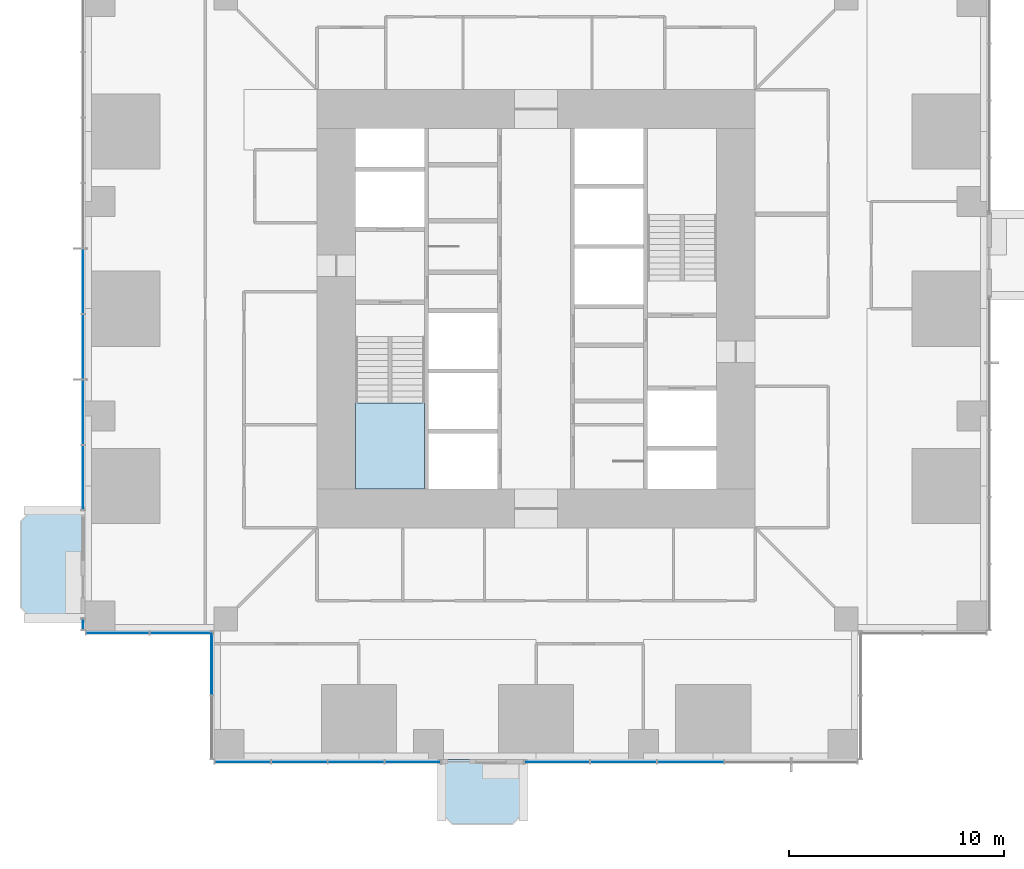
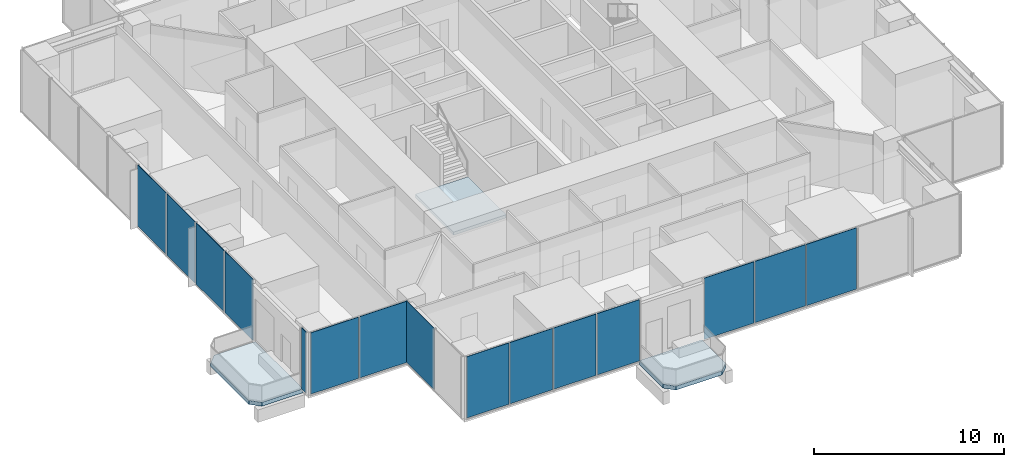
# One storey, part 8 of 18: 15 plates, 3 slabs, 7 elements without a shape of their own.
"""IFC4 building model written with IfcOpenShell, lengths in metres."""

from ifc_helpers import new_model, si_unit, direction, frame, origin, origin_2d, place, context, subcontext, project, spatial, polyline, rectangle, outline, extrude, material, layer, layer_set, type_object, element, aggregate, save


model = new_model("IFC4")

# Units and contexts
model_context = context("Model", 3, precision=1e-05, world=origin(), true_north=direction((0.0, 1.0)))
body_context = subcontext(model_context, "Body", "Model", "MODEL_VIEW")
ifc_project = project(units=[si_unit("LENGTHUNIT", "METRE"), si_unit("AREAUNIT", "SQUARE_METRE"), si_unit("VOLUMEUNIT", "CUBIC_METRE"), si_unit("PLANEANGLEUNIT", "RADIAN"), si_unit("MASSUNIT", "GRAM", prefix="KILO")], contexts=[model_context])

# Site, building, storey
site_placement = place(None, origin())
site = spatial("IfcSite", under=ifc_project, at=site_placement, CompositionType="ELEMENT")
building_placement = place(site_placement, origin())
building = spatial("IfcBuilding", under=site, at=building_placement, Name="Svetlomir Tower", CompositionType="ELEMENT")
storey_placement = place(building_placement, frame((0.0, 0.0, 46.5)))
storey = spatial("IfcBuildingStorey", under=building, at=storey_placement, Name="L10", CompositionType="ELEMENT", Elevation=46.5)

# Slabs
ifc_material_1 = material(Name="Concrete C60/75", Category="concrete")
ifc_layer_1 = layer(ifc_material_1, 0.25)
ifc_layer_set_1 = layer_set([ifc_layer_1], Name="Concrete C60/75")
slab_type_1 = type_object("IfcSlabType", Name="BALCONY SLAB 250", PredefinedType="FLOOR", material=ifc_layer_set_1)
slab_1_placement = place(storey_placement, frame((0.0, 0.0, -0.25)))
element("IfcSlab", 1, at=slab_1_placement, inside=storey, type_object=slab_type_1, Name="L10 S planted balcony", PredefinedType="FLOOR", context=body_context, shape_type="SweptSolid", body=[
    extrude(outline(polyline([(16.60009765625, -2.5), (17.10009765625, -3.0), (19.89990234375, -3.0), (20.39990234375, -2.5), (20.39990234375, 0.0), (16.60009765625, 0.0), (16.60009765625, -2.5)])), origin(), (0.0, 0.0, 1.0), 0.25),
])
slab_2_placement = place(storey_placement, frame((0.0, 0.0, -0.25)))
element("IfcSlab", 2, at=slab_2_placement, inside=storey, type_object=slab_type_1, Name="L10 W planted balcony", PredefinedType="FLOOR", context=body_context, shape_type="SweptSolid", body=[
    extrude(outline(polyline([(-2.5, 6.60009765625), (0.0, 6.60009765625), (0.0, 11.60009765625), (-2.5, 11.60009765625), (-3.0, 11.10009765625), (-3.0, 7.10009765625), (-2.5, 6.60009765625)])), origin(), (0.0, 0.0, 1.0), 0.25),
])

# Curtain wall, plates
ifc_material_2 = material(Name="Bronze anodised aluminium curtain wall", Category="aluminium")
curtain_wall_type = type_object("IfcCurtainWallType", Name="CURTAIN WALL CW1 TOWER OFFICE", PredefinedType="NOTDEFINED", material=ifc_material_2)
curtain_wall_1_placement = place(storey_placement, origin())
curtain_wall_1 = element("IfcCurtainWall", 3, at=curtain_wall_1_placement, inside=storey, type_object=curtain_wall_type, Name="Curtain wall CW1 L10", PredefinedType="NOTDEFINED")
ifc_material_3 = material(Name="Tinted double glazed unit", Category="glass")
ifc_layer_2 = layer(ifc_material_3, 0.031982421875)
ifc_layer_set_2 = layer_set([ifc_layer_2], Name="Tinted double glazed unit")
plate_type = type_object("IfcPlateType", Name="CW1 GLAZED PANEL 32", PredefinedType="CURTAIN_PANEL", material=ifc_layer_set_2)
plate_1_placement = place(storey_placement, frame((7.34130859375, -0.10009765625, 0.06494140625), z_axis=(0.0, 0.0, 1.0), x_axis=(1.0, 0.0, 0.0)))
plate_1 = element("IfcPlate", 4, at=plate_1_placement, type_object=plate_type, Name="CW1 panel 1.1", PredefinedType="CURTAIN_PANEL", context=body_context, shape_type="SweptSolid", body=[
    extrude(rectangle(XDim=2.552490234375, YDim=0.031982421875, at=origin_2d()), origin(), (0.0, 0.0, 1.0), 3.93505859375),
])
plate_2_placement = place(storey_placement, frame((9.97509765625, -0.10009765625, 0.06494140625), z_axis=(0.0, 0.0, 1.0), x_axis=(1.0, 0.0, 0.0)))
plate_2 = element("IfcPlate", 5, at=plate_2_placement, type_object=plate_type, Name="CW1 panel 2.1", PredefinedType="CURTAIN_PANEL", context=body_context, shape_type="SweptSolid", body=[
    extrude(rectangle(XDim=2.5849609375, YDim=0.031982421875, at=origin_2d()), origin(), (0.0, 0.0, 1.0), 3.93505859375),
])
plate_3_placement = place(storey_placement, frame((12.625, -0.10009765625, 0.06494140625), z_axis=(0.0, 0.0, 1.0), x_axis=(1.0, 0.0, 0.0)))
plate_3 = element("IfcPlate", 6, at=plate_3_placement, type_object=plate_type, Name="CW1 panel 3.1", PredefinedType="CURTAIN_PANEL", context=body_context, shape_type="SweptSolid", body=[
    extrude(rectangle(XDim=2.5849609375, YDim=0.031982421875, at=origin_2d()), origin(), (0.0, 0.0, 1.0), 3.93505859375),
])
plate_4_placement = place(storey_placement, frame((15.2587890625, -0.10009765625, 0.06494140625), z_axis=(0.0, 0.0, 1.0), x_axis=(1.0, 0.0, 0.0)))
plate_4 = element("IfcPlate", 7, at=plate_4_placement, type_object=plate_type, Name="CW1 panel 4.1", PredefinedType="CURTAIN_PANEL", context=body_context, shape_type="SweptSolid", body=[
    extrude(rectangle(XDim=2.552490234375, YDim=0.031982421875, at=origin_2d()), origin(), (0.0, 0.0, 1.0), 3.93505859375),
])
aggregate(curtain_wall_1, [plate_1, plate_2, plate_3, plate_4])

curtain_wall_2_placement = place(storey_placement, origin())
curtain_wall_2 = element("IfcCurtainWall", 8, at=curtain_wall_2_placement, inside=storey, type_object=curtain_wall_type, Name="Curtain wall CW1 L10", PredefinedType="NOTDEFINED")
plate_5_placement = place(storey_placement, frame((21.976318359375, -0.10009765625, 0.06494140625), z_axis=(0.0, 0.0, 1.0), x_axis=(1.0, 0.0, 0.0)))
plate_5 = element("IfcPlate", 9, at=plate_5_placement, type_object=plate_type, Name="CW1 panel 1.1", PredefinedType="CURTAIN_PANEL", context=body_context, shape_type="SweptSolid", body=[
    extrude(rectangle(XDim=3.0224609375, YDim=0.031982421875, at=origin_2d()), origin(), (0.0, 0.0, 1.0), 3.93505859375),
])
plate_6_placement = place(storey_placement, frame((25.080078125, -0.10009765625, 0.06494140625), z_axis=(0.0, 0.0, 1.0), x_axis=(1.0, 0.0, 0.0)))
plate_6 = element("IfcPlate", 10, at=plate_6_placement, type_object=plate_type, Name="CW1 panel 2.1", PredefinedType="CURTAIN_PANEL", context=body_context, shape_type="SweptSolid", body=[
    extrude(rectangle(XDim=3.054931640625, YDim=0.031982421875, at=origin_2d()), origin(), (0.0, 0.0, 1.0), 3.93505859375),
])
plate_7_placement = place(storey_placement, frame((28.199951171875, -0.10009765625, 0.06494140625), z_axis=(0.0, 0.0, 1.0), x_axis=(1.0, 0.0, 0.0)))
plate_7 = element("IfcPlate", 11, at=plate_7_placement, type_object=plate_type, Name="CW1 panel 3.1", PredefinedType="CURTAIN_PANEL", context=body_context, shape_type="SweptSolid", body=[
    extrude(rectangle(XDim=3.054931640625, YDim=0.031982421875, at=origin_2d()), origin(), (0.0, 0.0, 1.0), 3.93505859375),
])
aggregate(curtain_wall_2, [plate_5, plate_6, plate_7])

curtain_wall_3_placement = place(storey_placement, origin())
curtain_wall_3 = element("IfcCurtainWall", 12, at=curtain_wall_3_placement, inside=storey, type_object=curtain_wall_type, Name="Curtain wall CW1 L10", PredefinedType="NOTDEFINED")
plate_8_placement = place(storey_placement, frame((-0.10009765625, 22.27490234375, 0.06494140625), z_axis=(0.0, 0.0, 1.0), x_axis=(0.0, -1.0, 0.0)))
plate_8 = element("IfcPlate", 13, at=plate_8_placement, type_object=plate_type, Name="CW1 panel 5.1", PredefinedType="CURTAIN_PANEL", context=body_context, shape_type="SweptSolid", body=[
    extrude(rectangle(XDim=2.985107421875, YDim=0.031982421875, at=origin_2d()), origin(), (0.0, 0.0, 1.0), 3.93505859375),
])
plate_9_placement = place(storey_placement, frame((-0.10009765625, 19.22509765625, 0.06494140625), z_axis=(0.0, 0.0, 1.0), x_axis=(0.0, -1.0, 0.0)))
plate_9 = element("IfcPlate", 14, at=plate_9_placement, type_object=plate_type, Name="CW1 panel 6.1", PredefinedType="CURTAIN_PANEL", context=body_context, shape_type="SweptSolid", body=[
    extrude(rectangle(XDim=2.985107421875, YDim=0.031982421875, at=origin_2d()), origin(), (0.0, 0.0, 1.0), 3.93505859375),
])
plate_10_placement = place(storey_placement, frame((-0.10009765625, 16.175048828125, 0.06494140625), z_axis=(0.0, 0.0, 1.0), x_axis=(0.0, -1.0, 0.0)))
plate_10 = element("IfcPlate", 15, at=plate_10_placement, type_object=plate_type, Name="CW1 panel 7.1", PredefinedType="CURTAIN_PANEL", context=body_context, shape_type="SweptSolid", body=[
    extrude(rectangle(XDim=2.985107421875, YDim=0.031982421875, at=origin_2d()), origin(), (0.0, 0.0, 1.0), 3.93505859375),
])
plate_11_placement = place(storey_placement, frame((-0.10009765625, 13.141357421875, 0.06494140625), z_axis=(0.0, 0.0, 1.0), x_axis=(0.0, -1.0, 0.0)))
plate_11 = element("IfcPlate", 16, at=plate_11_placement, type_object=plate_type, Name="CW1 panel 8.1", PredefinedType="CURTAIN_PANEL", context=body_context, shape_type="SweptSolid", body=[
    extrude(rectangle(XDim=2.952392578125, YDim=0.031982421875, at=origin_2d()), origin(), (0.0, 0.0, 1.0), 3.93505859375),
])
aggregate(curtain_wall_3, [plate_8, plate_9, plate_10, plate_11])

# Curtain wall, plate
curtain_wall_4_placement = place(storey_placement, origin())
curtain_wall_4 = element("IfcCurtainWall", 17, at=curtain_wall_4_placement, inside=storey, type_object=curtain_wall_type, Name="Curtain wall CW1 L10", PredefinedType="NOTDEFINED")
plate_12_placement = place(storey_placement, frame((-0.10009765625, 6.300048828125, 0.06494140625), z_axis=(0.0, 0.0, 1.0), x_axis=(0.0, -1.0, 0.0)))
plate_12 = element("IfcPlate", 18, at=plate_12_placement, type_object=plate_type, Name="CW1 panel 1.1", PredefinedType="CURTAIN_PANEL", context=body_context, shape_type="SweptSolid", body=[
    extrude(rectangle(XDim=0.469970703125, YDim=0.031982421875, at=origin_2d()), origin(), (0.0, 0.0, 1.0), 3.93505859375),
])
aggregate(curtain_wall_4, [plate_12])

# Curtain wall, plates
curtain_wall_5_placement = place(storey_placement, origin())
curtain_wall_5 = element("IfcCurtainWall", 19, at=curtain_wall_5_placement, inside=storey, type_object=curtain_wall_type, Name="Curtain wall CW1 L10", PredefinedType="NOTDEFINED")
plate_13_placement = place(storey_placement, frame((1.516357421875, 5.89990234375, 0.06494140625), z_axis=(0.0, 0.0, 1.0), x_axis=(1.0, 0.0, 0.0)))
plate_13 = element("IfcPlate", 20, at=plate_13_placement, type_object=plate_type, Name="CW1 panel 1.1", PredefinedType="CURTAIN_PANEL", context=body_context, shape_type="SweptSolid", body=[
    extrude(rectangle(XDim=2.902587890625, YDim=0.031982421875, at=origin_2d()), origin(), (0.0, 0.0, 1.0), 3.93505859375),
])
plate_14_placement = place(storey_placement, frame((4.483642578125, 5.89990234375, 0.06494140625), z_axis=(0.0, 0.0, 1.0), x_axis=(1.0, 0.0, 0.0)))
plate_14 = element("IfcPlate", 21, at=plate_14_placement, type_object=plate_type, Name="CW1 panel 2.1", PredefinedType="CURTAIN_PANEL", context=body_context, shape_type="SweptSolid", body=[
    extrude(rectangle(XDim=2.902587890625, YDim=0.031982421875, at=origin_2d()), origin(), (0.0, 0.0, 1.0), 3.93505859375),
])
aggregate(curtain_wall_5, [plate_13, plate_14])

# Curtain wall, plate
curtain_wall_6_placement = place(storey_placement, origin())
curtain_wall_6 = element("IfcCurtainWall", 22, at=curtain_wall_6_placement, inside=storey, type_object=curtain_wall_type, Name="Curtain wall CW1 L10", PredefinedType="NOTDEFINED")
plate_15_placement = place(storey_placement, frame((5.89990234375, 4.483642578125, 0.06494140625), z_axis=(0.0, 0.0, 1.0), x_axis=(0.0, -1.0, 0.0)))
plate_15 = element("IfcPlate", 23, at=plate_15_placement, type_object=plate_type, Name="CW1 panel 1.1", PredefinedType="CURTAIN_PANEL", context=body_context, shape_type="SweptSolid", body=[
    extrude(rectangle(XDim=2.902587890625, YDim=0.031982421875, at=origin_2d()), origin(), (0.0, 0.0, 1.0), 3.93505859375),
])
aggregate(curtain_wall_6, [plate_15])

# Stair, slab
ifc_material_4 = material(Name="Concrete C60/75", Category="concrete")
stair_type = type_object("IfcStairType", Name="EXIT STAIR 3200 RISE 4000", PredefinedType="HALF_TURN_STAIR", material=ifc_material_4)
stair_placement = place(storey_placement, origin())
stair = element("IfcStair", 24, at=stair_placement, inside=storey, type_object=stair_type, Name="Stair S1 L10 to L11", PredefinedType="HALF_TURN_STAIR")
ifc_material_5 = material(Name="Concrete C60/75", Category="concrete")
ifc_layer_3 = layer(ifc_material_5, 0.199951171875)
ifc_layer_set_3 = layer_set([ifc_layer_3], Name="Concrete C60/75")
slab_type_2 = type_object("IfcSlabType", Name="STAIR LANDING 200", PredefinedType="LANDING", material=ifc_layer_set_3)
slab_3_placement = place(storey_placement, frame((0.0, 0.0, 1.800048828125)))
slab_3 = element("IfcSlab", 25, at=slab_3_placement, type_object=slab_type_2, Name="S1 landing 1", PredefinedType="LANDING", context=body_context, shape_type="SweptSolid", body=[
    extrude(outline(polyline([(12.60009765625, 12.60009765625), (15.800048828125, 12.60009765625), (15.800048828125, 16.6201171875), (12.60009765625, 16.6201171875), (12.60009765625, 12.60009765625)])), origin(), (0.0, 0.0, 1.0), 0.199951171875),
])
aggregate(stair, [slab_3])

save(model, "model.ifc")
